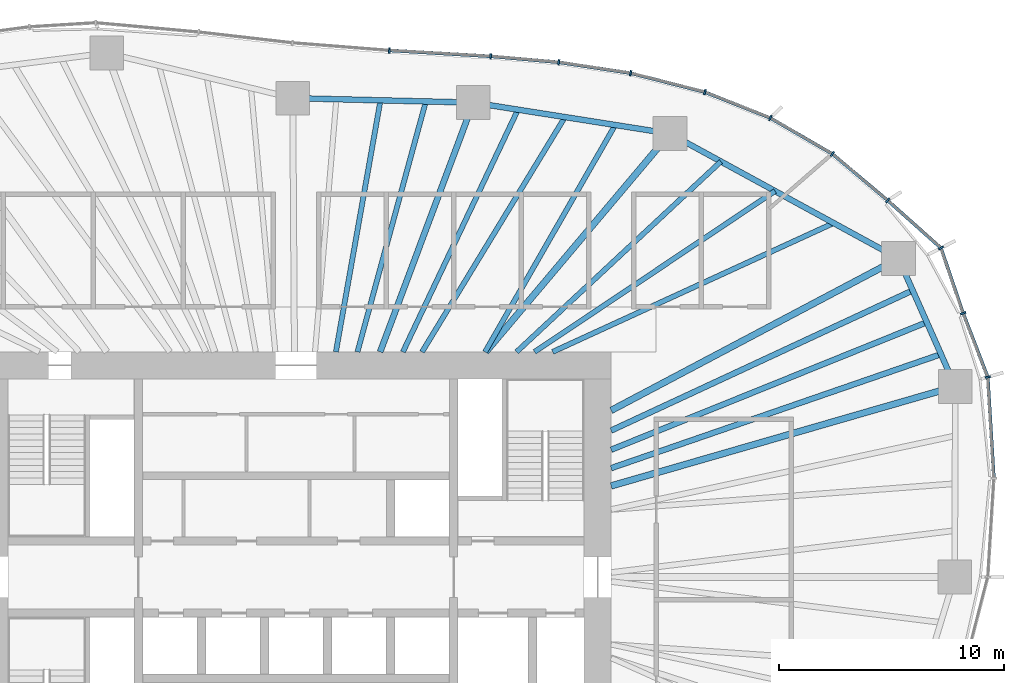
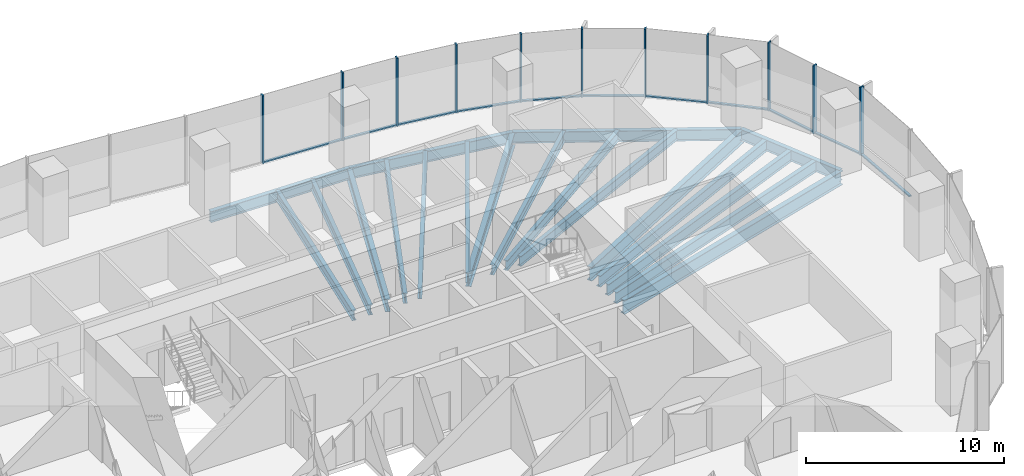
# One storey, part 6 of 18: 22 members, 19 beams, 5 elements without a shape of their own.
"""IFC4 building model written with IfcOpenShell, lengths in metres."""

import ifcopenshell
import ifcopenshell.guid

model = None  # the IFC model being written
_history = None  # IfcOwnerHistory: only IFC2X3 demands one
_inside = {}  # id of a spatial element -> (the spatial element, [elements in it])
_under = {}  # id of a project, library or spatial element -> (it, [spatial elements below it])
_declared = {}  # id of a project -> (the project, [libraries it declares])
_typed = {}  # id of a type object -> (the type object, [elements of that type])
_made_of = {}  # id of a material, layer set ... -> (it, [elements and type objects made of it])


def new_model(schema):
    """Start an empty IFC model of exactly this schema.

    Asked for "IFC4X3", IfcOpenShell would pick the latest addendum, in which some entities
    have other attributes; the version numbers below select the first issue.
    IFC2X3 requires an IfcOwnerHistory on every rooted entity: one is made here for all.
    """
    global model, _history
    if schema == "IFC4X3":
        model = ifcopenshell.file(schema_version=(4, 3, 0, 0))
    else:
        model = ifcopenshell.file(schema=schema)
    _inside.clear()
    _under.clear()
    _declared.clear()
    _typed.clear()
    _made_of.clear()
    _history = None
    if model.schema == "IFC2X3":
        org = make("IfcOrganization", Name="unknown")
        user = make(
            "IfcPersonAndOrganization",
            ThePerson=make("IfcPerson", FamilyName="unknown"),
            TheOrganization=org,
        )
        app = make(
            "IfcApplication",
            ApplicationDeveloper=org,
            Version="unknown",
            ApplicationFullName="unknown",
            ApplicationIdentifier="unknown",
        )
        _history = make(
            "IfcOwnerHistory",
            OwningUser=user,
            OwningApplication=app,
            ChangeAction="ADDED",
            CreationDate=0,
        )
    return model


def make(cls, **values):
    """One entity of the class cls with the attributes given. An attribute that is None is left unset."""
    return model.create_entity(
        cls, **{name: value for name, value in values.items() if value is not None}
    )


def rooted(cls, **values):
    """An entity with a GlobalId (a new one), such as an element, a storey or a relation."""
    return make(cls, GlobalId=ifcopenshell.guid.new(), OwnerHistory=_history, **values)


def si_unit(unit_type, name, prefix=None):
    """IfcSIUnit, for example si_unit("LENGTHUNIT", "METRE", prefix="MILLI")."""
    return make("IfcSIUnit", UnitType=unit_type, Prefix=prefix, Name=name)


def assignment(units):
    """IfcUnitAssignment: the units of a project."""
    return None if units is None else make("IfcUnitAssignment", Units=units)


def point(xyz):
    """IfcCartesianPoint."""
    return None if xyz is None else make("IfcCartesianPoint", Coordinates=xyz)


def direction(xyz):
    """IfcDirection."""
    return None if xyz is None else make("IfcDirection", DirectionRatios=xyz)


def frame(location, z_axis=None, x_axis=None):
    """IfcAxis2Placement3D, a coordinate frame: its origin and axes. An axis left out is left unset."""
    return make(
        "IfcAxis2Placement3D",
        Location=point(location),
        Axis=direction(z_axis),
        RefDirection=direction(x_axis),
    )


def frame_2d(location, x_axis=None):
    """IfcAxis2Placement2D, a coordinate frame in the plane: its origin and x axis."""
    return make(
        "IfcAxis2Placement2D", Location=point(location), RefDirection=direction(x_axis)
    )


def origin():
    """The frame at (0, 0, 0) with its axes left unset."""
    return frame((0.0, 0.0, 0.0))


def origin_2d():
    """The frame at (0, 0) in the plane with its x axis left unset."""
    return frame_2d((0.0, 0.0))


def place(relative_to, where):
    """IfcLocalPlacement: puts the frame where relative to a parent placement (None: the world)."""
    return make(
        "IfcLocalPlacement", PlacementRelTo=relative_to, RelativePlacement=where
    )


def context(
    kind, dimensions, precision=None, world=None, true_north=None, identifier=None
):
    """IfcGeometricRepresentationContext, for example the 3D "Model" context."""
    return make(
        "IfcGeometricRepresentationContext",
        ContextIdentifier=identifier,
        ContextType=kind,
        CoordinateSpaceDimension=dimensions,
        Precision=precision,
        WorldCoordinateSystem=world,
        TrueNorth=true_north,
    )


def subcontext(parent, identifier, kind, view, scale=None):
    """IfcGeometricRepresentationSubContext, for example "Body" below "Model"."""
    return make(
        "IfcGeometricRepresentationSubContext",
        ContextIdentifier=identifier,
        ContextType=kind,
        ParentContext=parent,
        TargetScale=scale,
        TargetView=view,
    )


def project(units=None, contexts=None):
    """IfcProject with its units and contexts."""
    return rooted(
        "IfcProject",
        Name="project",
        RepresentationContexts=contexts,
        UnitsInContext=assignment(units),
    )


def spatial(cls, under=None, at=None, **own):
    """A site, building, storey or space (cls), placed at a placement, below another one or the project."""
    s = rooted(cls, ObjectPlacement=at, **own)
    if under is not None:
        _under.setdefault(under.id(), (under, []))[1].append(s)
    return s


def profile(cls, at=None, kind="AREA", **sizes):
    """A parametric profile (cls). Its sizes go by their IFC names, for example OverallWidth=200.0."""
    return make(cls, ProfileType=kind, Position=at, **sizes)


def rectangle(**sizes):
    """IfcRectangleProfileDef."""
    return profile("IfcRectangleProfileDef", **sizes)


def i_section(**sizes):
    """IfcIShapeProfileDef."""
    return profile("IfcIShapeProfileDef", **sizes)


def extrude(swept, where, along, depth):
    """IfcExtrudedAreaSolid: the profile swept, set in the frame where, extruded along a direction by depth."""
    return make(
        "IfcExtrudedAreaSolid",
        SweptArea=swept,
        Position=where,
        ExtrudedDirection=direction(along),
        Depth=depth,
    )


def shape(context_of_items, identifier, shape_type, items):
    """IfcShapeRepresentation: the items that make up one representation, for example the "Body"."""
    return make(
        "IfcShapeRepresentation",
        ContextOfItems=context_of_items,
        RepresentationIdentifier=identifier,
        RepresentationType=shape_type,
        Items=items,
    )


def material(Name=None, Category=None):
    """IfcMaterial."""
    return make("IfcMaterial", Name=Name, Category=Category)


def material_profile(
    of_material, cross_section, Name=None, Category=None, Priority=None
):
    """IfcMaterialProfile: a cross section and its material."""
    return make(
        "IfcMaterialProfile",
        Name=Name,
        Material=of_material,
        Profile=cross_section,
        Priority=Priority,
        Category=Category,
    )


def profile_set(profiles, Name=None, composite=None):
    """IfcMaterialProfileSet."""
    return make(
        "IfcMaterialProfileSet",
        Name=Name,
        MaterialProfiles=profiles,
        CompositeProfile=composite,
    )


def made_of(thing, what):
    """Note that an element or type object is made of a material, layer set ...; save() writes the relation."""
    if what is not None:
        _made_of.setdefault(what.id(), (what, []))[1].append(thing)
    return thing


def type_object(cls, material=None, **own):
    """A type object (cls), such as IfcWallType, which elements share."""
    return made_of(rooted(cls, **own), material)


def element(
    cls,
    number,
    at=None,
    inside=None,
    cuts=None,
    type_object=None,
    material=None,
    context=None,
    identifier="Body",
    shape_type=None,
    held_by="IfcProductDefinitionShape",
    body=None,
    shapes=None,
    **own,
):
    """One element of the class cls, such as IfcWall. Its Tag is "e" and its number.

    at: its placement. inside: the storey or other place that contains it. cuts: it is an
    opening in that element (IfcRelVoidsElement). A single representation is given by context,
    identifier, shape_type and body (its items); several are given by shapes. held_by: the class
    of the entity that holds the representations. save() writes the other relations.
    """
    e = rooted(cls, Tag="e%d" % number, ObjectPlacement=at, **own)
    if body is not None:
        shapes = [shape(context, identifier, shape_type, body)]
    if shapes is not None:
        e.Representation = make(held_by, Representations=shapes)
    if inside is not None:
        _inside.setdefault(inside.id(), (inside, []))[1].append(e)
    if cuts is not None:
        rooted(
            "IfcRelVoidsElement", RelatingBuildingElement=cuts, RelatedOpeningElement=e
        )
    if type_object is not None:
        _typed.setdefault(type_object.id(), (type_object, []))[1].append(e)
    return made_of(e, material)


def aggregate(whole, parts):
    """IfcRelAggregates: a whole, such as a stair, and the parts it consists of."""
    return rooted("IfcRelAggregates", RelatingObject=whole, RelatedObjects=parts)


def save(model, path):
    """Write the relations noted so far, then the file.

    IfcRelAggregates (storeys below a building ...), IfcRelContainedInSpatialStructure (elements
    in a storey), IfcRelDefinesByType, IfcRelAssociatesMaterial and IfcRelDeclares: one each for
    every whole, place, type object, material and project.
    """
    for whole, parts in _under.values():
        aggregate(whole, parts)
    for where, things in _inside.values():
        rooted(
            "IfcRelContainedInSpatialStructure",
            RelatedElements=things,
            RelatingStructure=where,
        )
    for kind, things in _typed.values():
        rooted("IfcRelDefinesByType", RelatedObjects=things, RelatingType=kind)
    for what, things in _made_of.values():
        rooted("IfcRelAssociatesMaterial", RelatedObjects=things, RelatingMaterial=what)
    for by, libraries in _declared.values():
        rooted("IfcRelDeclares", RelatingContext=by, RelatedDefinitions=libraries)
    model.write(path)


model = new_model("IFC4")

# Units and contexts
model_context = context("Model", 3, precision=1e-05, world=origin(), true_north=direction((0.0, 1.0)))
body_context = subcontext(model_context, "Body", "Model", "MODEL_VIEW")
ifc_project = project(units=[si_unit("LENGTHUNIT", "METRE"), si_unit("AREAUNIT", "SQUARE_METRE"), si_unit("VOLUMEUNIT", "CUBIC_METRE"), si_unit("PLANEANGLEUNIT", "RADIAN"), si_unit("MASSUNIT", "GRAM", prefix="KILO")], contexts=[model_context])

# Site, building, storey
site_placement = place(None, origin())
site = spatial("IfcSite", under=ifc_project, at=site_placement, CompositionType="ELEMENT")
building_placement = place(site_placement, origin())
building = spatial("IfcBuilding", under=site, at=building_placement, Name="Ghaith Harvest Tower", CompositionType="ELEMENT")
storey_placement = place(building_placement, frame((0.0, 0.0, 134.39990234375)))
storey = spatial("IfcBuildingStorey", under=building, at=storey_placement, Name="L28", CompositionType="ELEMENT", Elevation=134.39990234375)

# Curtain wall, members
ifc_material_1 = material(Name="Black anodised aluminium and fritted glass", Category="aluminium")
curtain_wall_type = type_object("IfcCurtainWallType", Name="CW-L CURTAIN WALL", PredefinedType="NOTDEFINED", material=ifc_material_1)
curtain_wall_1_placement = place(storey_placement, origin())
curtain_wall_1 = element("IfcCurtainWall", 1, at=curtain_wall_1_placement, inside=storey, type_object=curtain_wall_type, Name="Curtain wall CW-L bay 02 L28", PredefinedType="NOTDEFINED")
ifc_material_2 = material(Name="Aluminium, black anodised", Category="aluminium")
ifc_material_profile_1 = material_profile(ifc_material_2, rectangle(XDim=0.080078125, YDim=0.239990234375, at=origin_2d()), Name="CW-L MULLION 80x240")
ifc_profile_set_1 = profile_set([ifc_material_profile_1], Name="Aluminium, black anodised")
member_type_1 = type_object("IfcMemberType", Name="CW-L MULLION 80x240", PredefinedType="MULLION", material=ifc_profile_set_1)
member_1_placement = place(storey_placement, frame((30.727294921875, 8.880859375, 0.0), z_axis=(0.0, 0.0, 1.0), x_axis=(-0.183070248196, 0.983099834313, 0.0)))
member_1 = element("IfcMember", 2, at=member_1_placement, type_object=member_type_1, Name="CW-L mullion 1 bay 02 L28", PredefinedType="MULLION", context=body_context, shape_type="SweptSolid", body=[
    extrude(rectangle(XDim=0.080078125, YDim=0.239990234375, at=origin_2d()), origin(), (0.0, 0.0, 1.0), 4.2001953125),
])
member_2_placement = place(storey_placement, frame((29.634521484375, 11.7158203125, 0.0), z_axis=(0.0, 0.0, 1.0), x_axis=(-0.340771198528, 0.940146260033, 0.0)))
member_2 = element("IfcMember", 3, at=member_2_placement, type_object=member_type_1, Name="CW-L mullion 2 bay 02 L28", PredefinedType="MULLION", context=body_context, shape_type="SweptSolid", body=[
    extrude(rectangle(XDim=0.080078125, YDim=0.239990234375, at=origin_2d()), origin(), (0.0, 0.0, 1.0), 4.2001953125),
])
member_3_placement = place(storey_placement, frame((28.64990234375, 14.61181640625, 0.0), z_axis=(0.0, 0.0, 1.0), x_axis=(-0.556324287652, 0.830965274225, 0.0)))
member_3 = element("IfcMember", 4, at=member_3_placement, type_object=member_type_1, Name="CW-L mullion 3 bay 02 L28", PredefinedType="MULLION", context=body_context, shape_type="SweptSolid", body=[
    extrude(rectangle(XDim=0.080078125, YDim=0.239990234375, at=origin_2d()), origin(), (0.0, 0.0, 1.0), 4.2001953125),
])

curtain_wall_2_placement = place(storey_placement, origin())
curtain_wall_2 = element("IfcCurtainWall", 5, at=curtain_wall_2_placement, inside=storey, type_object=curtain_wall_type, Name="Curtain wall CW-L bay 03 L28", PredefinedType="NOTDEFINED")
member_4_placement = place(storey_placement, frame((26.28076171875, 16.725341796875, 0.0), z_axis=(0.0, 0.0, 1.0), x_axis=(-0.755999423268, 0.654572281737, 0.0)))
member_4 = element("IfcMember", 6, at=member_4_placement, type_object=member_type_1, Name="CW-L mullion 1 bay 03 L28", PredefinedType="MULLION", context=body_context, shape_type="SweptSolid", body=[
    extrude(rectangle(XDim=0.080078125, YDim=0.239990234375, at=origin_2d()), origin(), (0.0, 0.0, 1.0), 4.2001953125),
])
member_5_placement = place(storey_placement, frame((23.82177734375, 18.792236328125, 0.0), z_axis=(0.0, 0.0, 1.0), x_axis=(-0.818228862146, 0.574892624018, 0.0)))
member_5 = element("IfcMember", 7, at=member_5_placement, type_object=member_type_1, Name="CW-L mullion 2 bay 03 L28", PredefinedType="MULLION", context=body_context, shape_type="SweptSolid", body=[
    extrude(rectangle(XDim=0.080078125, YDim=0.239990234375, at=origin_2d()), origin(), (0.0, 0.0, 1.0), 4.2001953125),
])
member_6_placement = place(storey_placement, frame((21.066162109375, 20.38916015625, 0.0), z_axis=(0.0, 0.0, 1.0), x_axis=(-0.899713343282, 0.436481270985, 0.0)))
member_6 = element("IfcMember", 8, at=member_6_placement, type_object=member_type_1, Name="CW-L mullion 3 bay 03 L28", PredefinedType="MULLION", context=body_context, shape_type="SweptSolid", body=[
    extrude(rectangle(XDim=0.080078125, YDim=0.239990234375, at=origin_2d()), origin(), (0.0, 0.0, 1.0), 4.2001953125),
])

curtain_wall_3_placement = place(storey_placement, origin())
curtain_wall_3 = element("IfcCurtainWall", 9, at=curtain_wall_3_placement, inside=storey, type_object=curtain_wall_type, Name="Curtain wall CW-L bay 04 L28", PredefinedType="NOTDEFINED")
member_7_placement = place(storey_placement, frame((18.162353515625, 21.537841796875, 0.0), z_axis=(0.0, 0.0, 1.0), x_axis=(-0.952152258113, 0.30562407852, 0.0)))
member_7 = element("IfcMember", 10, at=member_7_placement, type_object=member_type_1, Name="CW-L mullion 1 bay 04 L28", PredefinedType="MULLION", context=body_context, shape_type="SweptSolid", body=[
    extrude(rectangle(XDim=0.080078125, YDim=0.239990234375, at=origin_2d()), origin(), (0.0, 0.0, 1.0), 4.2001953125),
])
member_8_placement = place(storey_placement, frame((14.86474609375, 22.379638671875, 0.0), z_axis=(0.0, 0.0, 1.0), x_axis=(-0.979751952122, 0.200215165041, 0.0)))
member_8 = element("IfcMember", 11, at=member_8_placement, type_object=member_type_1, Name="CW-L mullion 2 bay 04 L28", PredefinedType="MULLION", context=body_context, shape_type="SweptSolid", body=[
    extrude(rectangle(XDim=0.080078125, YDim=0.239990234375, at=origin_2d()), origin(), (0.0, 0.0, 1.0), 4.2001953125),
])
member_9_placement = place(storey_placement, frame((11.672607421875, 22.864013671875, 0.0), z_axis=(0.0, 0.0, 1.0), x_axis=(-0.992800497873, 0.119779678673, 0.0)))
member_9 = element("IfcMember", 12, at=member_9_placement, type_object=member_type_1, Name="CW-L mullion 3 bay 04 L28", PredefinedType="MULLION", context=body_context, shape_type="SweptSolid", body=[
    extrude(rectangle(XDim=0.080078125, YDim=0.239990234375, at=origin_2d()), origin(), (0.0, 0.0, 1.0), 4.2001953125),
])

curtain_wall_4_placement = place(storey_placement, origin())
curtain_wall_4 = element("IfcCurtainWall", 13, at=curtain_wall_4_placement, inside=storey, type_object=curtain_wall_type, Name="Curtain wall CW-L bay 05 L28", PredefinedType="NOTDEFINED")
member_10_placement = place(storey_placement, frame((8.646728515625, 23.1298828125, 0.0), z_axis=(0.0, 0.0, 1.0), x_axis=(-0.997558767319, 0.069831982257, 0.0)))
member_10 = element("IfcMember", 14, at=member_10_placement, type_object=member_type_1, Name="CW-L mullion 1 bay 05 L28", PredefinedType="MULLION", context=body_context, shape_type="SweptSolid", body=[
    extrude(rectangle(XDim=0.080078125, YDim=0.239990234375, at=origin_2d()), origin(), (0.0, 0.0, 1.0), 4.2001953125),
])
member_11_placement = place(storey_placement, frame((4.146728515625, 23.390869140625, 0.0), z_axis=(0.0, 0.0, 1.0), x_axis=(-0.997689895047, 0.067932858925, 0.0)))
member_11 = element("IfcMember", 15, at=member_11_placement, type_object=member_type_1, Name="CW-L mullion 2 bay 05 L28", PredefinedType="MULLION", context=body_context, shape_type="SweptSolid", body=[
    extrude(rectangle(XDim=0.080078125, YDim=0.239990234375, at=origin_2d()), origin(), (0.0, 0.0, 1.0), 4.2001953125),
])

# Curtain wall, member
curtain_wall_5_placement = place(storey_placement, origin())
curtain_wall_5 = element("IfcCurtainWall", 16, at=curtain_wall_5_placement, inside=storey, type_object=curtain_wall_type, Name="Curtain wall CW-L bay 01 L28", PredefinedType="NOTDEFINED")
ifc_material_3 = material(Name="Aluminium, black anodised", Category="aluminium")
ifc_material_profile_2 = material_profile(ifc_material_3, rectangle(XDim=0.14990234375, YDim=0.080078125, at=origin_2d()), Name="CW-L TRANSOM 150x80")
ifc_profile_set_2 = profile_set([ifc_material_profile_2], Name="Aluminium, black anodised")
member_type_2 = type_object("IfcMemberType", Name="CW-L TRANSOM 150x80", PredefinedType="USERDEFINED", material=ifc_profile_set_2)
member_12_placement = place(storey_placement, frame((30.996337890625, 4.4296875, 0.0400390625), z_axis=(-0.060328261132, 0.99817859169, 0.0), x_axis=(-0.99817859169, -0.060328261132, 0.0)))
member_12 = element("IfcMember", 17, at=member_12_placement, type_object=member_type_2, Name="CW-L transom 2 bay 01 L28", ObjectType="TRANSOM", PredefinedType="USERDEFINED", context=body_context, shape_type="SweptSolid", body=[
    extrude(rectangle(XDim=0.14990234375, YDim=0.080078125, at=origin_2d()), origin(), (0.0, 0.0, 1.0), 4.419189453125),
])
aggregate(curtain_wall_5, [member_12])

# Member
member_13_placement = place(storey_placement, frame((30.712890625, 8.918212890625, 0.0400390625), z_axis=(-0.359637050526, 0.933092274048, 0.0), x_axis=(-0.933092274048, -0.359637050526, 0.0)))
member_13 = element("IfcMember", 18, at=member_13_placement, type_object=member_type_2, Name="CW-L transom 1 bay 02 L28", ObjectType="TRANSOM", PredefinedType="USERDEFINED", context=body_context, shape_type="SweptSolid", body=[
    extrude(rectangle(XDim=0.14990234375, YDim=0.080078125, at=origin_2d()), origin(), (0.0, 0.0, 1.0), 2.95849609375),
])

member_14_placement = place(storey_placement, frame((29.62158203125, 11.75390625, 0.0400390625), z_axis=(-0.321877752664, 0.946781237847, 0.0), x_axis=(-0.946781237847, -0.321877752664, 0.0)))
member_14 = element("IfcMember", 19, at=member_14_placement, type_object=member_type_2, Name="CW-L transom 2 bay 02 L28", ObjectType="TRANSOM", PredefinedType="USERDEFINED", context=body_context, shape_type="SweptSolid", body=[
    extrude(rectangle(XDim=0.14990234375, YDim=0.080078125, at=origin_2d()), origin(), (0.0, 0.0, 1.0), 2.978515625),
])

member_15_placement = place(storey_placement, frame((28.6201171875, 14.638427734375, 0.0400390625), z_axis=(-0.74622871112, 0.665689650438, 0.0), x_axis=(-0.665689650438, -0.74622871112, 0.0)))
member_15 = element("IfcMember", 20, at=member_15_placement, type_object=member_type_2, Name="CW-L transom 3 bay 02 L28", ObjectType="TRANSOM", PredefinedType="USERDEFINED", context=body_context, shape_type="SweptSolid", body=[
    extrude(rectangle(XDim=0.14990234375, YDim=0.080078125, at=origin_2d()), origin(), (0.0, 0.0, 1.0), 3.094970703125),
])

aggregate(curtain_wall_1, [member_1, member_13, member_2, member_14, member_3, member_15])

member_16_placement = place(storey_placement, frame((26.25, 16.7509765625, 0.0400390625), z_axis=(-0.765428400685, 0.643521066808, 0.0), x_axis=(-0.643521066808, -0.765428400685, 0.0)))
member_16 = element("IfcMember", 21, at=member_16_placement, type_object=member_type_2, Name="CW-L transom 1 bay 03 L28", ObjectType="TRANSOM", PredefinedType="USERDEFINED", context=body_context, shape_type="SweptSolid", body=[
    extrude(rectangle(XDim=0.14990234375, YDim=0.080078125, at=origin_2d()), origin(), (0.0, 0.0, 1.0), 3.132080078125),
])

member_17_placement = place(storey_placement, frame((23.787353515625, 18.812255859375, 0.0400390625), z_axis=(-0.865212673937, 0.50140505468, 0.0), x_axis=(-0.50140505468, -0.865212673937, 0.0)))
member_17 = element("IfcMember", 22, at=member_17_placement, type_object=member_type_2, Name="CW-L transom 2 bay 03 L28", ObjectType="TRANSOM", PredefinedType="USERDEFINED", context=body_context, shape_type="SweptSolid", body=[
    extrude(rectangle(XDim=0.14990234375, YDim=0.080078125, at=origin_2d()), origin(), (0.0, 0.0, 1.0), 3.10498046875),
])

member_18_placement = place(storey_placement, frame((21.029052734375, 20.40380859375, 0.0400390625), z_axis=(-0.929880954826, 0.367860584804, 0.0), x_axis=(-0.367860584804, -0.929880954826, 0.0)))
member_18 = element("IfcMember", 23, at=member_18_placement, type_object=member_type_2, Name="CW-L transom 3 bay 03 L28", ObjectType="TRANSOM", PredefinedType="USERDEFINED", context=body_context, shape_type="SweptSolid", body=[
    extrude(rectangle(XDim=0.14990234375, YDim=0.080078125, at=origin_2d()), origin(), (0.0, 0.0, 1.0), 3.04296875),
])

aggregate(curtain_wall_2, [member_4, member_16, member_5, member_17, member_6, member_18])

member_19_placement = place(storey_placement, frame((18.12353515625, 21.5478515625, 0.0400390625), z_axis=(-0.968942433805, 0.247286392614, 0.0), x_axis=(-0.247286392614, -0.968942433805, 0.0)))
member_19 = element("IfcMember", 24, at=member_19_placement, type_object=member_type_2, Name="CW-L transom 1 bay 04 L28", ObjectType="TRANSOM", PredefinedType="USERDEFINED", context=body_context, shape_type="SweptSolid", body=[
    extrude(rectangle(XDim=0.14990234375, YDim=0.080078125, at=origin_2d()), origin(), (0.0, 0.0, 1.0), 3.3232421875),
])

member_20_placement = place(storey_placement, frame((14.8251953125, 22.3857421875, 0.0400390625), z_axis=(-0.988680676153, 0.150035064572, 0.0), x_axis=(-0.150035064572, -0.988680676153, 0.0)))
member_20 = element("IfcMember", 25, at=member_20_placement, type_object=member_type_2, Name="CW-L transom 2 bay 04 L28", ObjectType="TRANSOM", PredefinedType="USERDEFINED", context=body_context, shape_type="SweptSolid", body=[
    extrude(rectangle(XDim=0.14990234375, YDim=0.080078125, at=origin_2d()), origin(), (0.0, 0.0, 1.0), 3.148681640625),
])

member_21_placement = place(storey_placement, frame((11.632568359375, 22.86767578125, 0.0400390625), z_axis=(-0.996171193061, 0.087423990507, 0.0), x_axis=(-0.087423990507, -0.996171193061, 0.0)))
member_21 = element("IfcMember", 26, at=member_21_placement, type_object=member_type_2, Name="CW-L transom 3 bay 04 L28", ObjectType="TRANSOM", PredefinedType="USERDEFINED", context=body_context, shape_type="SweptSolid", body=[
    extrude(rectangle(XDim=0.14990234375, YDim=0.080078125, at=origin_2d()), origin(), (0.0, 0.0, 1.0), 2.957275390625),
])

aggregate(curtain_wall_3, [member_7, member_19, member_8, member_20, member_9, member_21])

member_22_placement = place(storey_placement, frame((8.60693359375, 23.132080078125, 0.0400390625), z_axis=(-0.998319515187, 0.057949509028, 0.0), x_axis=(-0.057949509028, -0.998319515187, 0.0)))
member_22 = element("IfcMember", 27, at=member_22_placement, type_object=member_type_2, Name="CW-L transom 1 bay 05 L28", ObjectType="TRANSOM", PredefinedType="USERDEFINED", context=body_context, shape_type="SweptSolid", body=[
    extrude(rectangle(XDim=0.14990234375, YDim=0.080078125, at=origin_2d()), origin(), (0.0, 0.0, 1.0), 4.427734375),
])

aggregate(curtain_wall_4, [member_10, member_22, member_11])

# Beams
ifc_material_4 = material(Name="Steel ASTM A992 Grade 50", Category="steel")
ifc_material_profile_3 = material_profile(ifc_material_4, i_section(OverallWidth=0.25390625, OverallDepth=0.68408203125, WebThickness=0.012451171875, FlangeThickness=0.018798828125, at=origin_2d()), Name="W690X140")
ifc_profile_set_3 = profile_set([ifc_material_profile_3], Name="Steel ASTM A992 Grade 50")
beam_type_1 = type_object("IfcBeamType", Name="E690-140 W690X140", PredefinedType="SPANDREL", material=ifc_profile_set_3)
beam_1_placement = place(storey_placement, frame((29.285888671875, 8.464111328125, -0.511962890625), z_axis=(-0.405635615749, 0.914034872002, 0.0), x_axis=(-0.914034872002, -0.405635615749, 0.0)))
element("IfcBeam", 28, at=beam_1_placement, inside=storey, type_object=beam_type_1, Name="Edge beam E02 L28", PredefinedType="SPANDREL", context=body_context, shape_type="SweptSolid", body=[
    extrude(i_section(OverallWidth=0.25390625, OverallDepth=0.68408203125, WebThickness=0.012451171875, FlangeThickness=0.018798828125, at=origin_2d()), origin(), (0.0, 0.0, 1.0), 6.21728515625),
])
beam_2_placement = place(storey_placement, frame((26.763916015625, 14.14697265625, -0.511962890625), z_axis=(-0.877588218279, 0.479415184509, 0.0), x_axis=(-0.479415184509, -0.877588218279, 0.0)))
element("IfcBeam", 29, at=beam_2_placement, inside=storey, type_object=beam_type_1, Name="Edge beam E03 L28", PredefinedType="SPANDREL", context=body_context, shape_type="SweptSolid", body=[
    extrude(i_section(OverallWidth=0.25390625, OverallDepth=0.68408203125, WebThickness=0.012451171875, FlangeThickness=0.018798828125, at=origin_2d()), origin(), (0.0, 0.0, 1.0), 11.57275390625),
])
beam_3_placement = place(storey_placement, frame((16.60791015625, 19.695068359375, -0.511962890625), z_axis=(-0.987788485872, 0.155800857439, 0.0), x_axis=(-0.155800857439, -0.987788485872, 0.0)))
element("IfcBeam", 30, at=beam_3_placement, inside=storey, type_object=beam_type_1, Name="Edge beam E04 L28", PredefinedType="SPANDREL", context=body_context, shape_type="SweptSolid", body=[
    extrude(i_section(OverallWidth=0.25390625, OverallDepth=0.68408203125, WebThickness=0.012451171875, FlangeThickness=0.018798828125, at=origin_2d()), origin(), (0.0, 0.0, 1.0), 8.837890625),
])
beam_4_placement = place(storey_placement, frame((7.8779296875, 21.072021484375, -0.511962890625), z_axis=(-0.999692679676, 0.024790042413, 0.0), x_axis=(-0.024790042413, -0.999692679676, 0.0)))
element("IfcBeam", 31, at=beam_4_placement, inside=storey, type_object=beam_type_1, Name="Edge beam E05 L28", PredefinedType="SPANDREL", context=body_context, shape_type="SweptSolid", body=[
    extrude(i_section(OverallWidth=0.25390625, OverallDepth=0.68408203125, WebThickness=0.012451171875, FlangeThickness=0.018798828125, at=origin_2d()), origin(), (0.0, 0.0, 1.0), 8.0263671875),
])
ifc_material_5 = material(Name="Steel ASTM A992 Grade 50", Category="steel")
ifc_material_profile_4 = material_profile(ifc_material_5, i_section(OverallWidth=0.26806640625, OverallDepth=0.77001953125, WebThickness=0.015625, FlangeThickness=0.025390625, at=origin_2d()), Name="W760X196")
ifc_profile_set_4 = profile_set([ifc_material_profile_4], Name="Steel ASTM A992 Grade 50")
beam_type_2 = type_object("IfcBeamType", Name="G760-196 W760X196", PredefinedType="BEAM", material=ifc_profile_set_4)
beam_5_placement = place(storey_placement, frame((3.73828125, 10.0, -0.554931640625), z_axis=(0.350206582147, 0.936672488024, 0.0), x_axis=(-0.936672488024, 0.350206582147, 0.0)))
element("IfcBeam", 32, at=beam_5_placement, inside=storey, type_object=beam_type_2, Name="Radial girder G05 L28", PredefinedType="BEAM", context=body_context, shape_type="SweptSolid", body=[
    extrude(i_section(OverallWidth=0.26806640625, OverallDepth=0.77001953125, WebThickness=0.015625, FlangeThickness=0.025390625, at=origin_2d()), origin(), (0.0, 0.0, 1.0), 11.820556640625),
])
ifc_material_6 = material(Name="Steel ASTM A992 Grade 50", Category="steel")
ifc_material_profile_5 = material_profile(ifc_material_6, i_section(OverallWidth=0.2939453125, OverallDepth=0.85107421875, WebThickness=0.01611328125, FlangeThickness=0.02685546875, at=origin_2d()), Name="W840X226")
ifc_profile_set_5 = profile_set([ifc_material_profile_5], Name="Steel ASTM A992 Grade 50")
beam_type_3 = type_object("IfcBeamType", Name="G840-226 W840X226", PredefinedType="BEAM", material=ifc_profile_set_5)
beam_6_placement = place(storey_placement, frame((14.0, 4.04638671875, -0.595458984375), z_axis=(0.960683993303, 0.27764413376, 0.0), x_axis=(-0.27764413376, 0.960683993303, 0.0)))
element("IfcBeam", 33, at=beam_6_placement, inside=storey, type_object=beam_type_3, Name="Radial girder G02 L28", PredefinedType="BEAM", context=body_context, shape_type="SweptSolid", body=[
    extrude(i_section(OverallWidth=0.2939453125, OverallDepth=0.85107421875, WebThickness=0.01611328125, FlangeThickness=0.02685546875, at=origin_2d()), origin(), (0.0, 0.0, 1.0), 15.911376953125),
])
beam_7_placement = place(storey_placement, frame((14.0, 7.39990234375, -0.595458984375), z_axis=(0.884082663971, 0.467330550324, 0.0), x_axis=(-0.467330550324, 0.884082663971, 0.0)))
element("IfcBeam", 34, at=beam_7_placement, inside=storey, type_object=beam_type_3, Name="Radial girder G03 L28", PredefinedType="BEAM", context=body_context, shape_type="SweptSolid", body=[
    extrude(i_section(OverallWidth=0.2939453125, OverallDepth=0.85107421875, WebThickness=0.01611328125, FlangeThickness=0.02685546875, at=origin_2d()), origin(), (0.0, 0.0, 1.0), 14.4375),
])
beam_8_placement = place(storey_placement, frame((8.4326171875, 10.0, -0.595458984375), z_axis=(0.644644245772, 0.764482698557, 0.0), x_axis=(-0.764482698557, 0.644644245772, 0.0)))
element("IfcBeam", 35, at=beam_8_placement, inside=storey, type_object=beam_type_3, Name="Radial girder G04 L28", PredefinedType="BEAM", context=body_context, shape_type="SweptSolid", body=[
    extrude(i_section(OverallWidth=0.2939453125, OverallDepth=0.85107421875, WebThickness=0.01611328125, FlangeThickness=0.02685546875, at=origin_2d()), origin(), (0.0, 0.0, 1.0), 12.681884765625),
])
ifc_material_7 = material(Name="Steel ASTM A992 Grade 50", Category="steel")
ifc_material_profile_6 = material_profile(ifc_material_7, i_section(OverallWidth=0.22900390625, OverallDepth=0.612060546875, WebThickness=0.011962890625, FlangeThickness=0.01953125, at=origin_2d()), Name="W610X125")
ifc_profile_set_6 = profile_set([ifc_material_profile_6], Name="Steel ASTM A992 Grade 50")
beam_type_4 = type_object("IfcBeamType", Name="J610-125 W610X125", PredefinedType="JOIST", material=ifc_profile_set_6)
beam_9_placement = place(storey_placement, frame((11.39990234375, 10.0, -0.475830078125), z_axis=(0.909014022454, 0.416765529983, 0.0), x_axis=(-0.416765529983, 0.909014022454, 0.0)))
element("IfcBeam", 36, at=beam_9_placement, inside=storey, type_object=beam_type_4, Name="Joist J03.1 L28", PredefinedType="JOIST", context=body_context, shape_type="SweptSolid", body=[
    extrude(i_section(OverallWidth=0.22900390625, OverallDepth=0.612060546875, WebThickness=0.011962890625, FlangeThickness=0.01953125, at=origin_2d()), origin(), (0.0, 0.0, 1.0), 13.72998046875),
])
beam_10_placement = place(storey_placement, frame((10.60009765625, 10.0, -0.475830078125), z_axis=(0.831116486766, 0.556098359489, 0.0), x_axis=(-0.556098359489, 0.831116486766, 0.0)))
element("IfcBeam", 37, at=beam_10_placement, inside=storey, type_object=beam_type_4, Name="Joist J03.2 L28", PredefinedType="JOIST", context=body_context, shape_type="SweptSolid", body=[
    extrude(i_section(OverallWidth=0.22900390625, OverallDepth=0.612060546875, WebThickness=0.011962890625, FlangeThickness=0.01953125, at=origin_2d()), origin(), (0.0, 0.0, 1.0), 12.84716796875),
])
beam_11_placement = place(storey_placement, frame((9.800048828125, 10.0, -0.475830078125), z_axis=(0.731538123562, 0.681800538116, 0.0), x_axis=(-0.681800538116, 0.731538123562, 0.0)))
element("IfcBeam", 38, at=beam_11_placement, inside=storey, type_object=beam_type_4, Name="Joist J03.3 L28", PredefinedType="JOIST", context=body_context, shape_type="SweptSolid", body=[
    extrude(i_section(OverallWidth=0.22900390625, OverallDepth=0.612060546875, WebThickness=0.011962890625, FlangeThickness=0.01953125, at=origin_2d()), origin(), (0.0, 0.0, 1.0), 12.404052734375),
])
beam_12_placement = place(storey_placement, frame((8.39990234375, 10.0, -0.475830078125), z_axis=(0.497444212127, 0.867495968764, 0.0), x_axis=(-0.867495968764, 0.497444212127, 0.0)))
element("IfcBeam", 39, at=beam_12_placement, inside=storey, type_object=beam_type_4, Name="Joist J04.1 L28", PredefinedType="JOIST", context=body_context, shape_type="SweptSolid", body=[
    extrude(i_section(OverallWidth=0.22900390625, OverallDepth=0.612060546875, WebThickness=0.011962890625, FlangeThickness=0.01953125, at=origin_2d()), origin(), (0.0, 0.0, 1.0), 11.617431640625),
])
beam_13_placement = place(storey_placement, frame((5.60009765625, 10.0, -0.475830078125), z_axis=(0.519863845761, 0.854249133374, 0.0), x_axis=(-0.854249133374, 0.519863845761, 0.0)))
element("IfcBeam", 40, at=beam_13_placement, inside=storey, type_object=beam_type_4, Name="Joist J04.2 L28", PredefinedType="JOIST", context=body_context, shape_type="SweptSolid", body=[
    extrude(i_section(OverallWidth=0.22900390625, OverallDepth=0.612060546875, WebThickness=0.011962890625, FlangeThickness=0.01953125, at=origin_2d()), origin(), (0.0, 0.0, 1.0), 12.209716796875),
])
beam_14_placement = place(storey_placement, frame((4.75, 10.0, -0.475830078125), z_axis=(0.429069356877, 0.903271546651, 0.0), x_axis=(-0.903271546651, 0.429069356877, 0.0)))
element("IfcBeam", 41, at=beam_14_placement, inside=storey, type_object=beam_type_4, Name="Joist J04.3 L28", PredefinedType="JOIST", context=body_context, shape_type="SweptSolid", body=[
    extrude(i_section(OverallWidth=0.22900390625, OverallDepth=0.612060546875, WebThickness=0.011962890625, FlangeThickness=0.01953125, at=origin_2d()), origin(), (0.0, 0.0, 1.0), 11.911376953125),
])
beam_15_placement = place(storey_placement, frame((2.73095703125, 10.0, -0.475830078125), z_axis=(0.263455967932, 0.964671422279, 0.0), x_axis=(-0.964671422279, 0.263455967932, 0.0)))
element("IfcBeam", 42, at=beam_15_placement, inside=storey, type_object=beam_type_4, Name="Joist J05.1 L28", PredefinedType="JOIST", context=body_context, shape_type="SweptSolid", body=[
    extrude(i_section(OverallWidth=0.22900390625, OverallDepth=0.612060546875, WebThickness=0.011962890625, FlangeThickness=0.01953125, at=origin_2d()), origin(), (0.0, 0.0, 1.0), 11.53173828125),
])
beam_16_placement = place(storey_placement, frame((1.772705078125, 10.0, -0.475830078125), z_axis=(0.17455599258, 0.984647249249, 0.0), x_axis=(-0.984647249249, 0.17455599258, 0.0)))
element("IfcBeam", 43, at=beam_16_placement, inside=storey, type_object=beam_type_4, Name="Joist J05.2 L28", PredefinedType="JOIST", context=body_context, shape_type="SweptSolid", body=[
    extrude(i_section(OverallWidth=0.22900390625, OverallDepth=0.612060546875, WebThickness=0.011962890625, FlangeThickness=0.01953125, at=origin_2d()), origin(), (0.0, 0.0, 1.0), 11.3486328125),
])
ifc_material_8 = material(Name="Steel ASTM A992 Grade 50", Category="steel")
ifc_material_profile_7 = material_profile(ifc_material_8, i_section(OverallWidth=0.25390625, OverallDepth=0.68408203125, WebThickness=0.012451171875, FlangeThickness=0.018798828125, at=origin_2d()), Name="W690X140")
ifc_profile_set_7 = profile_set([ifc_material_profile_7], Name="Steel ASTM A992 Grade 50")
beam_type_5 = type_object("IfcBeamType", Name="J690-140 W690X140", PredefinedType="JOIST", material=ifc_profile_set_7)
beam_17_placement = place(storey_placement, frame((14.0, 4.835693359375, -0.511962890625), z_axis=(0.945204964965, 0.32647752481, 0.0), x_axis=(-0.32647752481, 0.945204964965, 0.0)))
element("IfcBeam", 44, at=beam_17_placement, inside=storey, type_object=beam_type_5, Name="Joist J02.1 L28", PredefinedType="JOIST", context=body_context, shape_type="SweptSolid", body=[
    extrude(i_section(OverallWidth=0.25390625, OverallDepth=0.68408203125, WebThickness=0.012451171875, FlangeThickness=0.018798828125, at=origin_2d()), origin(), (0.0, 0.0, 1.0), 15.499755859375),
])
beam_18_placement = place(storey_placement, frame((14.0, 5.653564453125, -0.511962890625), z_axis=(0.927247874511, 0.374448099495, 0.0), x_axis=(-0.374448099495, 0.927247874511, 0.0)))
element("IfcBeam", 45, at=beam_18_placement, inside=storey, type_object=beam_type_5, Name="Joist J02.2 L28", PredefinedType="JOIST", context=body_context, shape_type="SweptSolid", body=[
    extrude(i_section(OverallWidth=0.25390625, OverallDepth=0.68408203125, WebThickness=0.012451171875, FlangeThickness=0.018798828125, at=origin_2d()), origin(), (0.0, 0.0, 1.0), 15.12060546875),
])
beam_19_placement = place(storey_placement, frame((14.0, 6.506103515625, -0.511962890625), z_axis=(0.906865717917, 0.42141970726, 0.0), x_axis=(-0.42141970726, 0.906865717917, 0.0)))
element("IfcBeam", 46, at=beam_19_placement, inside=storey, type_object=beam_type_5, Name="Joist J02.3 L28", PredefinedType="JOIST", context=body_context, shape_type="SweptSolid", body=[
    extrude(i_section(OverallWidth=0.25390625, OverallDepth=0.68408203125, WebThickness=0.012451171875, FlangeThickness=0.018798828125, at=origin_2d()), origin(), (0.0, 0.0, 1.0), 14.768310546875),
])

save(model, "model.ifc")
